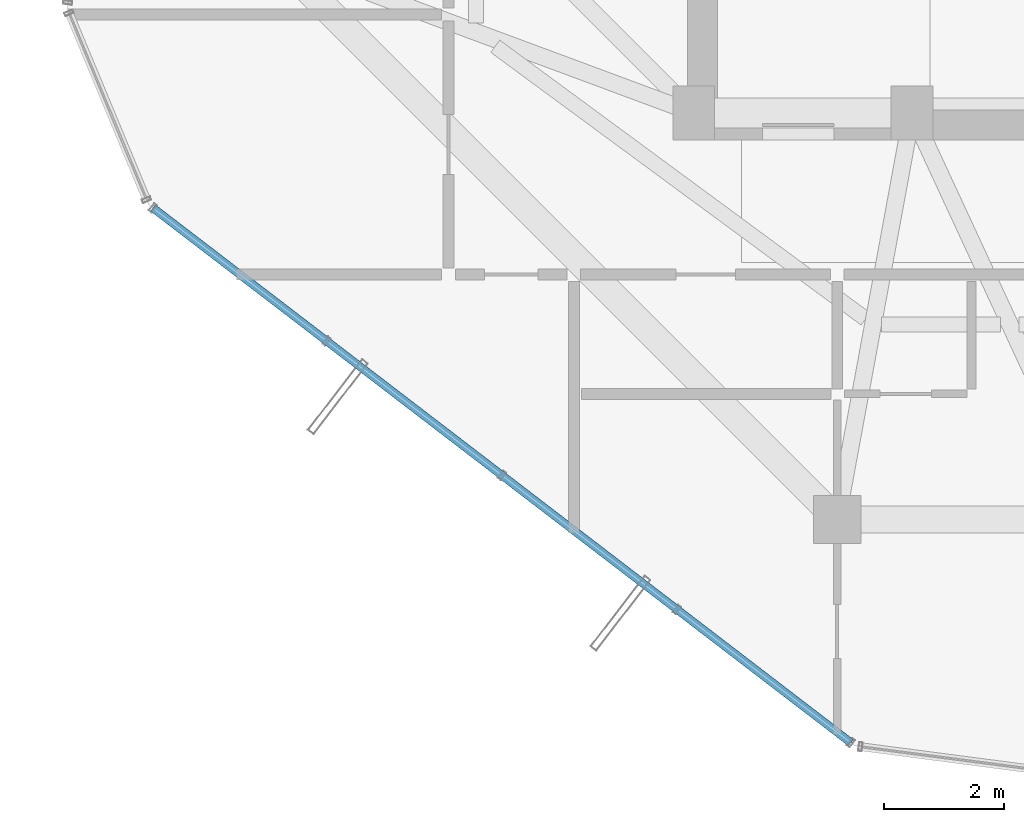
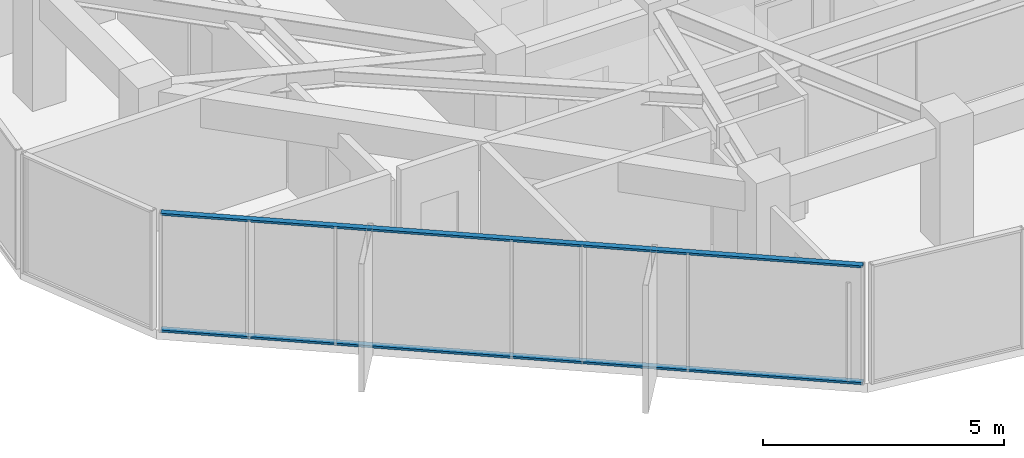
# One storey, part 3 of 31: 2 members, 1 element without a shape of its own.
"""IFC4 building model written with IfcOpenShell, lengths in metres."""

from ifc_helpers import new_model, si_unit, direction, frame, origin, origin_2d, place, context, subcontext, project, spatial, hollow_rectangle, extrude, source, transform, mapped, material, layer, layer_set, material_profile, profile_set, type_object, element, aggregate, save


model = new_model("IFC4")

# Units and contexts
model_context = context("Model", 3, precision=1e-05, world=origin(), true_north=direction((0.0, 1.0)))
body_context = subcontext(model_context, "Body", "Model", "MODEL_VIEW")
ifc_project = project(units=[si_unit("LENGTHUNIT", "METRE"), si_unit("AREAUNIT", "SQUARE_METRE"), si_unit("VOLUMEUNIT", "CUBIC_METRE"), si_unit("PLANEANGLEUNIT", "RADIAN"), si_unit("MASSUNIT", "GRAM", prefix="KILO")], contexts=[model_context])

# Site, building, storey
site_placement = place(None, origin())
site = spatial("IfcSite", under=ifc_project, at=site_placement, CompositionType="ELEMENT")
building_placement = place(site_placement, origin())
building = spatial("IfcBuilding", under=site, at=building_placement, Name="Veraguas Prism Commons", CompositionType="ELEMENT")
storey_placement = place(building_placement, frame((0.0, 0.0, 233.300048828125)))
storey = spatial("IfcBuildingStorey", under=building, at=storey_placement, Name="L66", CompositionType="ELEMENT", Elevation=233.300048828125)

# Curtain wall, members
ifc_material = material(Name="Anodised aluminium EN AW-6063 T6", Category="aluminium")
ifc_layer = layer(ifc_material, 0.14990234375, Name="Unitised Flush Curtain Wall Zone 4", Category="aluminium")
ifc_layer_set = layer_set([ifc_layer], Name="Anodised aluminium EN AW-6063 T6")
curtain_wall_type = type_object("IfcCurtainWallType", Name="Unitised Flush Curtain Wall Zone 4", PredefinedType="NOTDEFINED", material=ifc_layer_set)
curtain_wall_placement = place(storey_placement, origin())
curtain_wall = element("IfcCurtainWall", 1, at=curtain_wall_placement, inside=storey, type_object=curtain_wall_type, Name="Tower Facade Curtain Wall L66-F4", PredefinedType="NOTDEFINED")
ifc_material_profile = material_profile(ifc_material, hollow_rectangle(XDim=0.054931640625, YDim=0.135009765625, WallThickness=0.0029296875, at=origin_2d()), Name="AL55X135X3")
ifc_profile_set = profile_set([ifc_material_profile], Name="Anodised aluminium EN AW-6063 T6")
member_type = type_object("IfcMemberType", Name="Curtain Wall Transom Standard AL 55x135x3", PredefinedType="USERDEFINED", material=ifc_profile_set)
shared_shape = source(origin(), body_context, "Body", "SweptSolid", [
    extrude(hollow_rectangle(XDim=0.054931640625, YDim=0.135009765625, WallThickness=0.0029296875, at=origin_2d()), origin(), (0.0, 0.0, 1.0), 14.706298828125),
])
member_1_placement = place(storey_placement, frame((8.155517578125, 15.4111328125, 0.02734375), z_axis=(0.793775999683, -0.608210212285, 0.0), x_axis=(0.0, 0.0, 1.0)))
member_1 = element("IfcMember", 2, at=member_1_placement, type_object=member_type, Name="CW-Z4 Transom 1", ObjectType="TRANSOM", PredefinedType="USERDEFINED", context=body_context, shape_type="MappedRepresentation", body=[
    mapped(shared_shape, transform((0.0, 0.0, 0.0), scale=1.0)),
])
member_2_placement = place(storey_placement, frame((8.155517578125, 15.4111328125, 2.987548828125), z_axis=(0.793775999683, -0.608210212285, 0.0), x_axis=(0.0, 0.0, 1.0)))
member_2 = element("IfcMember", 3, at=member_2_placement, type_object=member_type, Name="CW-Z4 Transom 2", ObjectType="TRANSOM", PredefinedType="USERDEFINED", context=body_context, shape_type="MappedRepresentation", body=[
    mapped(shared_shape, transform((0.0, 0.0, 0.0), scale=1.0)),
])
aggregate(curtain_wall, [member_1, member_2])

save(model, "model.ifc")
